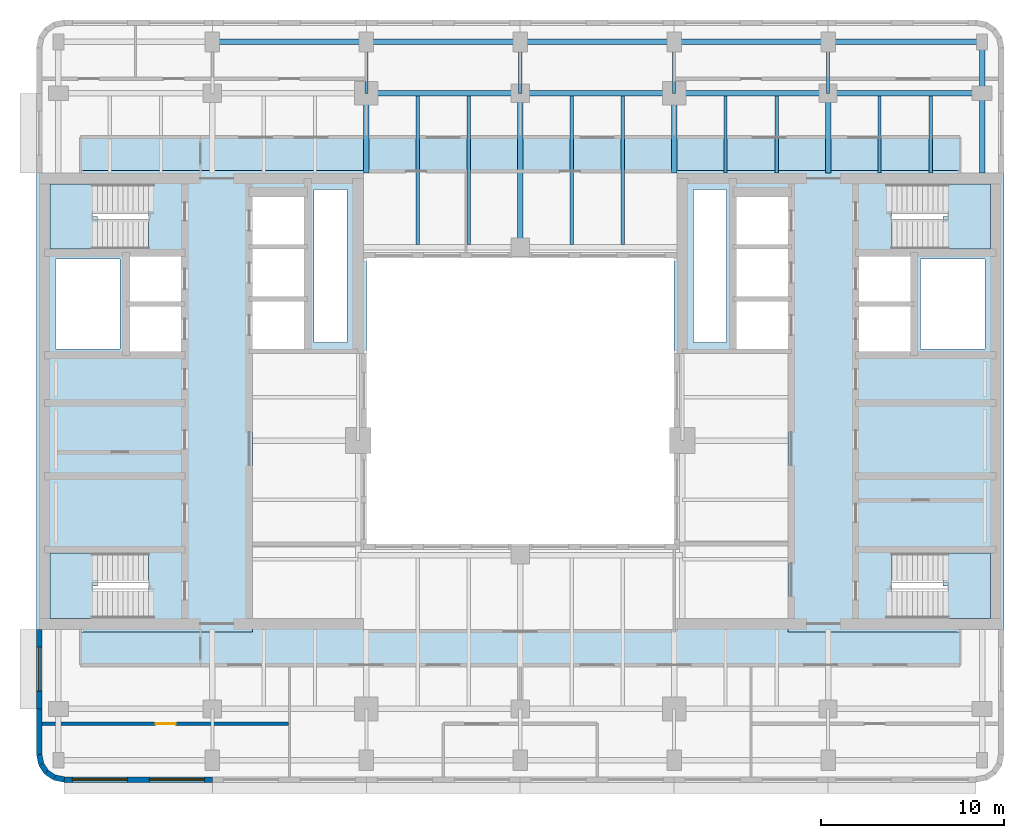
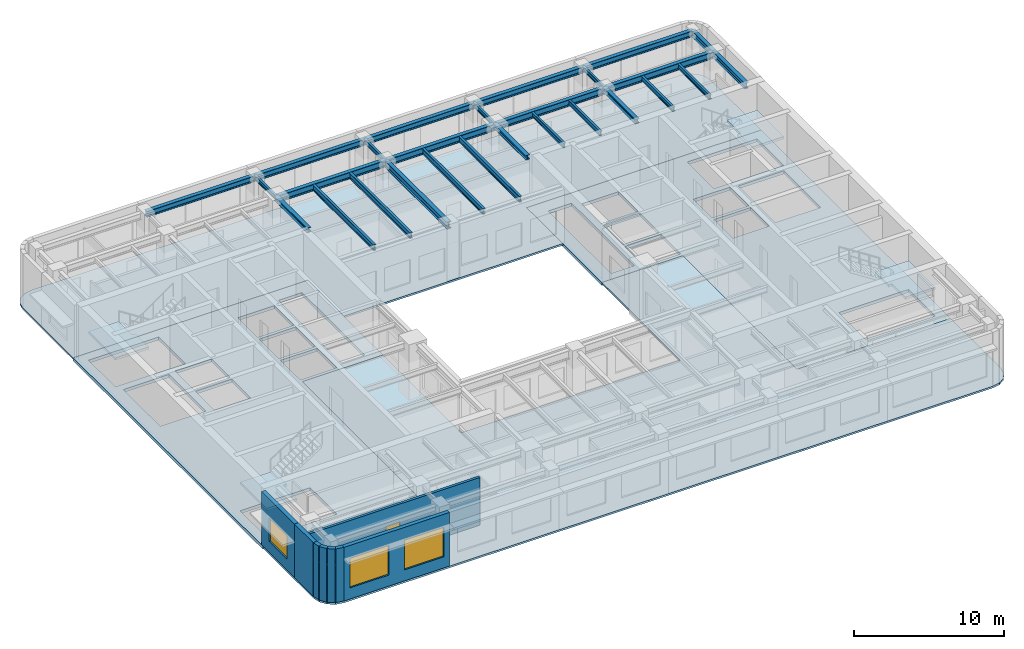
# One storey, part 2 of 11: 27 beams, 8 slabs, 8 walls, 3 windows, 1 door, 4 openings, 4 elements without a shape of their own.
"""IFC4 building model written with IfcOpenShell, lengths in metres."""

import ifcopenshell
import ifcopenshell.guid

model = None  # the IFC model being written
_history = None  # IfcOwnerHistory: only IFC2X3 demands one
_inside = {}  # id of a spatial element -> (the spatial element, [elements in it])
_under = {}  # id of a project, library or spatial element -> (it, [spatial elements below it])
_declared = {}  # id of a project -> (the project, [libraries it declares])
_typed = {}  # id of a type object -> (the type object, [elements of that type])
_made_of = {}  # id of a material, layer set ... -> (it, [elements and type objects made of it])


def new_model(schema):
    """Start an empty IFC model of exactly this schema.

    Asked for "IFC4X3", IfcOpenShell would pick the latest addendum, in which some entities
    have other attributes; the version numbers below select the first issue.
    IFC2X3 requires an IfcOwnerHistory on every rooted entity: one is made here for all.
    """
    global model, _history
    if schema == "IFC4X3":
        model = ifcopenshell.file(schema_version=(4, 3, 0, 0))
    else:
        model = ifcopenshell.file(schema=schema)
    _inside.clear()
    _under.clear()
    _declared.clear()
    _typed.clear()
    _made_of.clear()
    _history = None
    if model.schema == "IFC2X3":
        org = make("IfcOrganization", Name="unknown")
        user = make(
            "IfcPersonAndOrganization",
            ThePerson=make("IfcPerson", FamilyName="unknown"),
            TheOrganization=org,
        )
        app = make(
            "IfcApplication",
            ApplicationDeveloper=org,
            Version="unknown",
            ApplicationFullName="unknown",
            ApplicationIdentifier="unknown",
        )
        _history = make(
            "IfcOwnerHistory",
            OwningUser=user,
            OwningApplication=app,
            ChangeAction="ADDED",
            CreationDate=0,
        )
    return model


def make(cls, **values):
    """One entity of the class cls with the attributes given. An attribute that is None is left unset."""
    return model.create_entity(
        cls, **{name: value for name, value in values.items() if value is not None}
    )


def rooted(cls, **values):
    """An entity with a GlobalId (a new one), such as an element, a storey or a relation."""
    return make(cls, GlobalId=ifcopenshell.guid.new(), OwnerHistory=_history, **values)


def si_unit(unit_type, name, prefix=None):
    """IfcSIUnit, for example si_unit("LENGTHUNIT", "METRE", prefix="MILLI")."""
    return make("IfcSIUnit", UnitType=unit_type, Prefix=prefix, Name=name)


def assignment(units):
    """IfcUnitAssignment: the units of a project."""
    return None if units is None else make("IfcUnitAssignment", Units=units)


def point(xyz):
    """IfcCartesianPoint."""
    return None if xyz is None else make("IfcCartesianPoint", Coordinates=xyz)


def direction(xyz):
    """IfcDirection."""
    return None if xyz is None else make("IfcDirection", DirectionRatios=xyz)


def frame(location, z_axis=None, x_axis=None):
    """IfcAxis2Placement3D, a coordinate frame: its origin and axes. An axis left out is left unset."""
    return make(
        "IfcAxis2Placement3D",
        Location=point(location),
        Axis=direction(z_axis),
        RefDirection=direction(x_axis),
    )


def frame_2d(location, x_axis=None):
    """IfcAxis2Placement2D, a coordinate frame in the plane: its origin and x axis."""
    return make(
        "IfcAxis2Placement2D", Location=point(location), RefDirection=direction(x_axis)
    )


def origin():
    """The frame at (0, 0, 0) with its axes left unset."""
    return frame((0.0, 0.0, 0.0))


def origin_2d():
    """The frame at (0, 0) in the plane with its x axis left unset."""
    return frame_2d((0.0, 0.0))


def place(relative_to, where):
    """IfcLocalPlacement: puts the frame where relative to a parent placement (None: the world)."""
    return make(
        "IfcLocalPlacement", PlacementRelTo=relative_to, RelativePlacement=where
    )


def context(
    kind, dimensions, precision=None, world=None, true_north=None, identifier=None
):
    """IfcGeometricRepresentationContext, for example the 3D "Model" context."""
    return make(
        "IfcGeometricRepresentationContext",
        ContextIdentifier=identifier,
        ContextType=kind,
        CoordinateSpaceDimension=dimensions,
        Precision=precision,
        WorldCoordinateSystem=world,
        TrueNorth=true_north,
    )


def subcontext(parent, identifier, kind, view, scale=None):
    """IfcGeometricRepresentationSubContext, for example "Body" below "Model"."""
    return make(
        "IfcGeometricRepresentationSubContext",
        ContextIdentifier=identifier,
        ContextType=kind,
        ParentContext=parent,
        TargetScale=scale,
        TargetView=view,
    )


def project(units=None, contexts=None):
    """IfcProject with its units and contexts."""
    return rooted(
        "IfcProject",
        Name="project",
        RepresentationContexts=contexts,
        UnitsInContext=assignment(units),
    )


def spatial(cls, under=None, at=None, **own):
    """A site, building, storey or space (cls), placed at a placement, below another one or the project."""
    s = rooted(cls, ObjectPlacement=at, **own)
    if under is not None:
        _under.setdefault(under.id(), (under, []))[1].append(s)
    return s


def polyline(points):
    """IfcPolyline through the points."""
    return make("IfcPolyline", Points=[point(p) for p in points])


def profile(cls, at=None, kind="AREA", **sizes):
    """A parametric profile (cls). Its sizes go by their IFC names, for example OverallWidth=200.0."""
    return make(cls, ProfileType=kind, Position=at, **sizes)


def rectangle(**sizes):
    """IfcRectangleProfileDef."""
    return profile("IfcRectangleProfileDef", **sizes)


def i_section(**sizes):
    """IfcIShapeProfileDef."""
    return profile("IfcIShapeProfileDef", **sizes)


def outline(outer, holes=None, kind="AREA"):
    """IfcArbitraryClosedProfileDef: a profile drawn as a closed curve; with holes, ...WithVoids."""
    if holes is None:
        return make("IfcArbitraryClosedProfileDef", ProfileType=kind, OuterCurve=outer)
    return make(
        "IfcArbitraryProfileDefWithVoids",
        ProfileType=kind,
        OuterCurve=outer,
        InnerCurves=holes,
    )


def extrude(swept, where, along, depth):
    """IfcExtrudedAreaSolid: the profile swept, set in the frame where, extruded along a direction by depth."""
    return make(
        "IfcExtrudedAreaSolid",
        SweptArea=swept,
        Position=where,
        ExtrudedDirection=direction(along),
        Depth=depth,
    )


def shape(context_of_items, identifier, shape_type, items):
    """IfcShapeRepresentation: the items that make up one representation, for example the "Body"."""
    return make(
        "IfcShapeRepresentation",
        ContextOfItems=context_of_items,
        RepresentationIdentifier=identifier,
        RepresentationType=shape_type,
        Items=items,
    )


def material(Name=None, Category=None):
    """IfcMaterial."""
    return make("IfcMaterial", Name=Name, Category=Category)


def layer(
    of_material, thickness, ventilated=None, Name=None, Category=None, Priority=None
):
    """IfcMaterialLayer: one layer of a wall or slab, of a material (None: an air gap)."""
    return make(
        "IfcMaterialLayer",
        Material=of_material,
        LayerThickness=thickness,
        IsVentilated=ventilated,
        Name=Name,
        Category=Category,
        Priority=Priority,
    )


def layer_set(layers, Name=None):
    """IfcMaterialLayerSet."""
    return make("IfcMaterialLayerSet", MaterialLayers=layers, LayerSetName=Name)


def material_profile(
    of_material, cross_section, Name=None, Category=None, Priority=None
):
    """IfcMaterialProfile: a cross section and its material."""
    return make(
        "IfcMaterialProfile",
        Name=Name,
        Material=of_material,
        Profile=cross_section,
        Priority=Priority,
        Category=Category,
    )


def profile_set(profiles, Name=None, composite=None):
    """IfcMaterialProfileSet."""
    return make(
        "IfcMaterialProfileSet",
        Name=Name,
        MaterialProfiles=profiles,
        CompositeProfile=composite,
    )


def made_of(thing, what):
    """Note that an element or type object is made of a material, layer set ...; save() writes the relation."""
    if what is not None:
        _made_of.setdefault(what.id(), (what, []))[1].append(thing)
    return thing


def type_object(cls, material=None, **own):
    """A type object (cls), such as IfcWallType, which elements share."""
    return made_of(rooted(cls, **own), material)


def element(
    cls,
    number,
    at=None,
    inside=None,
    cuts=None,
    type_object=None,
    material=None,
    context=None,
    identifier="Body",
    shape_type=None,
    held_by="IfcProductDefinitionShape",
    body=None,
    shapes=None,
    **own,
):
    """One element of the class cls, such as IfcWall. Its Tag is "e" and its number.

    at: its placement. inside: the storey or other place that contains it. cuts: it is an
    opening in that element (IfcRelVoidsElement). A single representation is given by context,
    identifier, shape_type and body (its items); several are given by shapes. held_by: the class
    of the entity that holds the representations. save() writes the other relations.
    """
    e = rooted(cls, Tag="e%d" % number, ObjectPlacement=at, **own)
    if body is not None:
        shapes = [shape(context, identifier, shape_type, body)]
    if shapes is not None:
        e.Representation = make(held_by, Representations=shapes)
    if inside is not None:
        _inside.setdefault(inside.id(), (inside, []))[1].append(e)
    if cuts is not None:
        rooted(
            "IfcRelVoidsElement", RelatingBuildingElement=cuts, RelatedOpeningElement=e
        )
    if type_object is not None:
        _typed.setdefault(type_object.id(), (type_object, []))[1].append(e)
    return made_of(e, material)


def fill(opening, filler):
    """IfcRelFillsElement: the door or window that sits in an opening."""
    return rooted(
        "IfcRelFillsElement",
        RelatingOpeningElement=opening,
        RelatedBuildingElement=filler,
    )


def aggregate(whole, parts):
    """IfcRelAggregates: a whole, such as a stair, and the parts it consists of."""
    return rooted("IfcRelAggregates", RelatingObject=whole, RelatedObjects=parts)


def save(model, path):
    """Write the relations noted so far, then the file.

    IfcRelAggregates (storeys below a building ...), IfcRelContainedInSpatialStructure (elements
    in a storey), IfcRelDefinesByType, IfcRelAssociatesMaterial and IfcRelDeclares: one each for
    every whole, place, type object, material and project.
    """
    for whole, parts in _under.values():
        aggregate(whole, parts)
    for where, things in _inside.values():
        rooted(
            "IfcRelContainedInSpatialStructure",
            RelatedElements=things,
            RelatingStructure=where,
        )
    for kind, things in _typed.values():
        rooted("IfcRelDefinesByType", RelatedObjects=things, RelatingType=kind)
    for what, things in _made_of.values():
        rooted("IfcRelAssociatesMaterial", RelatedObjects=things, RelatingMaterial=what)
    for by, libraries in _declared.values():
        rooted("IfcRelDeclares", RelatingContext=by, RelatedDefinitions=libraries)
    model.write(path)


model = new_model("IFC4")

# Units and contexts
model_context = context("Model", 3, precision=1e-05, world=origin(), true_north=direction((0.0, 1.0)))
body_context = subcontext(model_context, "Body", "Model", "MODEL_VIEW")
ifc_project = project(units=[si_unit("LENGTHUNIT", "METRE"), si_unit("AREAUNIT", "SQUARE_METRE"), si_unit("VOLUMEUNIT", "CUBIC_METRE"), si_unit("PLANEANGLEUNIT", "RADIAN"), si_unit("MASSUNIT", "GRAM", prefix="KILO")], contexts=[model_context])

# Site, building, storey
site_placement = place(None, origin())
site = spatial("IfcSite", under=ifc_project, at=site_placement, CompositionType="ELEMENT")
building_placement = place(site_placement, origin())
building = spatial("IfcBuilding", under=site, at=building_placement, Name="Claustro Exchange Tower", CompositionType="ELEMENT")
storey_placement = place(building_placement, frame((0.0, 0.0, 268.199951171875)))
storey = spatial("IfcBuildingStorey", under=building, at=storey_placement, Name="L61", CompositionType="ELEMENT", Elevation=268.199951171875)

# Beams
ifc_material_1 = material(Name="Steel S355", Category="steel")
ifc_material_profile_1 = material_profile(ifc_material_1, i_section(OverallWidth=0.169921875, OverallDepth=0.360107421875, WebThickness=0.008056640625, FlangeThickness=0.0126953125, FilletRadius=0.01806640625, at=origin_2d()), Name="IPE 360")
ifc_profile_set_1 = profile_set([ifc_material_profile_1], Name="Steel S355")
beam_type_1 = type_object("IfcBeamType", Name="B16 IPE 360 short-span beam", PredefinedType="BEAM", material=ifc_profile_set_1)
for number, where, z_axis, x_axis, name in (
    (1, (16.800048828125, 42.0, 4.170166015625), (0.0, 1.0, 0.0), (-1.0, 0.0, 0.0), "Beam B16 L62"),
    (2, (25.199951171875, 42.0, 4.170166015625), (0.0, 1.0, 0.0), (-1.0, 0.0, 0.0), "Beam B16 L62"),
    (3, (33.60009765625, 42.0, 4.170166015625), (0.0, 1.0, 0.0), (-1.0, 0.0, 0.0), "Beam B16 L62"),
    (4, (42.0, 42.0, 4.170166015625), (0.0, 1.0, 0.0), (-1.0, 0.0, 0.0), "Beam B16 L62"),
):
    element("IfcBeam", number, at=place(storey_placement, frame(where, z_axis=z_axis, x_axis=x_axis)), inside=storey, type_object=beam_type_1, Name=name, PredefinedType="BEAM", context=body_context, shape_type="SweptSolid", body=[
        extrude(i_section(OverallWidth=0.169921875, OverallDepth=0.360107421875, WebThickness=0.008056640625, FlangeThickness=0.0126953125, FilletRadius=0.01806640625, at=origin_2d()), origin(), (0.0, 0.0, 1.0), 2.800048828125),
    ])
for number, where, z_axis, x_axis, name in (
    (5, (36.39990234375, 37.64990234375, 4.170166015625), (0.0, 1.0, 0.0), (-1.0, 0.0, 0.0), "Beam B16 L62"),
    (6, (39.199951171875, 37.64990234375, 4.170166015625), (0.0, 1.0, 0.0), (-1.0, 0.0, 0.0), "Beam B16 L62"),
    (7, (44.800048828125, 37.64990234375, 4.170166015625), (0.0, 1.0, 0.0), (-1.0, 0.0, 0.0), "Beam B16 L62"),
    (8, (47.60009765625, 37.64990234375, 4.170166015625), (0.0, 1.0, 0.0), (-1.0, 0.0, 0.0), "Beam B16 L62"),
):
    element("IfcBeam", number, at=place(storey_placement, frame(where, z_axis=z_axis, x_axis=x_axis)), inside=storey, type_object=beam_type_1, Name=name, PredefinedType="BEAM", context=body_context, shape_type="SweptSolid", body=[
        extrude(i_section(OverallWidth=0.169921875, OverallDepth=0.360107421875, WebThickness=0.008056640625, FlangeThickness=0.0126953125, FilletRadius=0.01806640625, at=origin_2d()), origin(), (0.0, 0.0, 1.0), 4.2001953125),
    ])
ifc_material_2 = material(Name="Steel S355", Category="steel")
ifc_material_profile_2 = material_profile(ifc_material_2, i_section(OverallWidth=0.300048828125, OverallDepth=0.550048828125, WebThickness=0.014892578125, FlangeThickness=0.029052734375, FilletRadius=0.027099609375, at=origin_2d()), Name="HE 550 B")
ifc_profile_set_2 = profile_set([ifc_material_profile_2], Name="Steel S355")
beam_type_2 = type_object("IfcBeamType", Name="B17 HE 550 B floor girder", PredefinedType="BEAM", material=ifc_profile_set_2)
for number, where, z_axis, x_axis, name in (
    (9, (25.199951171875, 33.60009765625, 4.074951171875), (0.0, 1.0, 0.0), (-1.0, 0.0, 0.0), "Beam B17 L62"),
    (10, (16.800048828125, 42.0, 4.074951171875), (1.0, 0.0, 0.0), (0.0, 1.0, 0.0), "Beam B17 L62"),
):
    element("IfcBeam", number, at=place(storey_placement, frame(where, z_axis=z_axis, x_axis=x_axis)), inside=storey, type_object=beam_type_2, Name=name, PredefinedType="BEAM", context=body_context, shape_type="SweptSolid", body=[
        extrude(i_section(OverallWidth=0.300048828125, OverallDepth=0.550048828125, WebThickness=0.014892578125, FlangeThickness=0.029052734375, FilletRadius=0.027099609375, at=origin_2d()), origin(), (0.0, 0.0, 1.0), 8.39990234375),
    ])
beam_1_placement = place(storey_placement, frame((25.199951171875, 42.0, 4.074951171875), z_axis=(1.0, 0.0, 0.0), x_axis=(0.0, 1.0, 0.0)))
element("IfcBeam", 11, at=beam_1_placement, inside=storey, type_object=beam_type_2, Name="Beam B17 L62", PredefinedType="BEAM", context=body_context, shape_type="SweptSolid", body=[
    extrude(i_section(OverallWidth=0.300048828125, OverallDepth=0.550048828125, WebThickness=0.014892578125, FlangeThickness=0.029052734375, FilletRadius=0.027099609375, at=origin_2d()), origin(), (0.0, 0.0, 1.0), 8.400146484375),
])
for number, where, z_axis, x_axis, name in (
    (12, (33.60009765625, 42.0, 4.074951171875), (1.0, 0.0, 0.0), (0.0, 1.0, 0.0), "Beam B17 L62"),
    (13, (42.0, 42.0, 4.074951171875), (1.0, 0.0, 0.0), (0.0, 1.0, 0.0), "Beam B17 L62"),
):
    element("IfcBeam", number, at=place(storey_placement, frame(where, z_axis=z_axis, x_axis=x_axis)), inside=storey, type_object=beam_type_2, Name=name, PredefinedType="BEAM", context=body_context, shape_type="SweptSolid", body=[
        extrude(i_section(OverallWidth=0.300048828125, OverallDepth=0.550048828125, WebThickness=0.014892578125, FlangeThickness=0.029052734375, FilletRadius=0.027099609375, at=origin_2d()), origin(), (0.0, 0.0, 1.0), 8.39990234375),
    ])
ifc_material_3 = material(Name="Steel S355", Category="steel")
ifc_material_profile_3 = material_profile(ifc_material_3, i_section(OverallWidth=0.300048828125, OverallDepth=0.360107421875, WebThickness=0.012451171875, FlangeThickness=0.0224609375, FilletRadius=0.027099609375, at=origin_2d()), Name="HE 360 B")
ifc_profile_set_3 = profile_set([ifc_material_profile_3], Name="Steel S355")
beam_type_3 = type_object("IfcBeamType", Name="B29 HE 360 B column to core link beam", PredefinedType="BEAM", material=ifc_profile_set_3)
for number, where, z_axis, x_axis, name in (
    (14, (16.800048828125, 37.64990234375, 4.170166015625), (0.0, 1.0, 0.0), (-1.0, 0.0, 0.0), "Beam B29 L62"),
    (15, (33.60009765625, 37.64990234375, 4.170166015625), (0.0, 1.0, 0.0), (-1.0, 0.0, 0.0), "Beam B29 L62"),
    (16, (42.0, 37.64990234375, 4.170166015625), (0.0, 1.0, 0.0), (-1.0, 0.0, 0.0), "Beam B29 L62"),
):
    element("IfcBeam", number, at=place(storey_placement, frame(where, z_axis=z_axis, x_axis=x_axis)), inside=storey, type_object=beam_type_3, Name=name, PredefinedType="BEAM", context=body_context, shape_type="SweptSolid", body=[
        extrude(i_section(OverallWidth=0.300048828125, OverallDepth=0.360107421875, WebThickness=0.012451171875, FlangeThickness=0.0224609375, FilletRadius=0.027099609375, at=origin_2d()), origin(), (0.0, 0.0, 1.0), 4.35009765625),
    ])
ifc_material_4 = material(Name="Steel S355", Category="steel")
ifc_material_profile_4 = material_profile(ifc_material_4, i_section(OverallWidth=0.18994140625, OverallDepth=0.449951171875, WebThickness=0.009521484375, FlangeThickness=0.0146484375, FilletRadius=0.02099609375, at=origin_2d()), Name="IPE 450")
ifc_profile_set_4 = profile_set([ifc_material_profile_4], Name="Steel S355")
beam_type_4 = type_object("IfcBeamType", Name="B8 IPE 450 secondary beam", PredefinedType="BEAM", material=ifc_profile_set_4)
for number, where, z_axis, x_axis, name in (
    (17, (19.60009765625, 33.75, 4.125), (0.0, 1.0, 0.0), (-1.0, 0.0, 0.0), "Beam B8 L62"),
    (18, (22.39990234375, 33.75, 4.125), (0.0, 1.0, 0.0), (-1.0, 0.0, 0.0), "Beam B8 L62"),
    (19, (28.0, 33.75, 4.125), (0.0, 1.0, 0.0), (-1.0, 0.0, 0.0), "Beam B8 L62"),
    (20, (30.800048828125, 33.75, 4.125), (0.0, 1.0, 0.0), (-1.0, 0.0, 0.0), "Beam B8 L62"),
):
    element("IfcBeam", number, at=place(storey_placement, frame(where, z_axis=z_axis, x_axis=x_axis)), inside=storey, type_object=beam_type_4, Name=name, PredefinedType="BEAM", context=body_context, shape_type="SweptSolid", body=[
        extrude(i_section(OverallWidth=0.18994140625, OverallDepth=0.449951171875, WebThickness=0.009521484375, FlangeThickness=0.0146484375, FilletRadius=0.02099609375, at=origin_2d()), origin(), (0.0, 0.0, 1.0), 8.10009765625),
    ])
ifc_material_5 = material(Name="Steel S355", Category="steel")
ifc_material_profile_5 = material_profile(ifc_material_5, i_section(OverallWidth=0.300048828125, OverallDepth=0.489990234375, WebThickness=0.011962890625, FlangeThickness=0.02294921875, FilletRadius=0.027099609375, at=origin_2d()), Name="HE 500 A")
ifc_profile_set_5 = profile_set([ifc_material_profile_5], Name="Steel S355")
beam_type_5 = type_object("IfcBeamType", Name="B9 HE 500 A spandrel edge girder", PredefinedType="SPANDREL", material=ifc_profile_set_5)
beam_2_placement = place(storey_placement, frame((50.39990234375, 37.64990234375, 4.10498046875), z_axis=(0.0, 1.0, 0.0), x_axis=(-1.0, 0.0, 0.0)))
element("IfcBeam", 21, at=beam_2_placement, inside=storey, type_object=beam_type_5, Name="Beam B9 L62", PredefinedType="SPANDREL", context=body_context, shape_type="SweptSolid", body=[
    extrude(i_section(OverallWidth=0.300048828125, OverallDepth=0.489990234375, WebThickness=0.011962890625, FlangeThickness=0.02294921875, FilletRadius=0.027099609375, at=origin_2d()), origin(), (0.0, 0.0, 1.0), 4.35009765625),
])
beam_3_placement = place(storey_placement, frame((50.39990234375, 42.0, 4.10498046875), z_axis=(0.0, 1.0, 0.0), x_axis=(-1.0, 0.0, 0.0)))
element("IfcBeam", 22, at=beam_3_placement, inside=storey, type_object=beam_type_5, Name="Beam B9 L62", PredefinedType="SPANDREL", context=body_context, shape_type="SweptSolid", body=[
    extrude(i_section(OverallWidth=0.300048828125, OverallDepth=0.489990234375, WebThickness=0.011962890625, FlangeThickness=0.02294921875, FilletRadius=0.027099609375, at=origin_2d()), origin(), (0.0, 0.0, 1.0), 2.800048828125),
])
beam_4_placement = place(storey_placement, frame((8.39990234375, 44.800048828125, 4.10498046875), z_axis=(1.0, 0.0, 0.0), x_axis=(0.0, 1.0, 0.0)))
element("IfcBeam", 23, at=beam_4_placement, inside=storey, type_object=beam_type_5, Name="Beam B9 L62", PredefinedType="SPANDREL", context=body_context, shape_type="SweptSolid", body=[
    extrude(i_section(OverallWidth=0.300048828125, OverallDepth=0.489990234375, WebThickness=0.011962890625, FlangeThickness=0.02294921875, FilletRadius=0.027099609375, at=origin_2d()), origin(), (0.0, 0.0, 1.0), 8.400146484375),
])
beam_5_placement = place(storey_placement, frame((16.800048828125, 44.800048828125, 4.10498046875), z_axis=(1.0, 0.0, 0.0), x_axis=(0.0, 1.0, 0.0)))
element("IfcBeam", 24, at=beam_5_placement, inside=storey, type_object=beam_type_5, Name="Beam B9 L62", PredefinedType="SPANDREL", context=body_context, shape_type="SweptSolid", body=[
    extrude(i_section(OverallWidth=0.300048828125, OverallDepth=0.489990234375, WebThickness=0.011962890625, FlangeThickness=0.02294921875, FilletRadius=0.027099609375, at=origin_2d()), origin(), (0.0, 0.0, 1.0), 8.39990234375),
])
beam_6_placement = place(storey_placement, frame((25.199951171875, 44.800048828125, 4.10498046875), z_axis=(1.0, 0.0, 0.0), x_axis=(0.0, 1.0, 0.0)))
element("IfcBeam", 25, at=beam_6_placement, inside=storey, type_object=beam_type_5, Name="Beam B9 L62", PredefinedType="SPANDREL", context=body_context, shape_type="SweptSolid", body=[
    extrude(i_section(OverallWidth=0.300048828125, OverallDepth=0.489990234375, WebThickness=0.011962890625, FlangeThickness=0.02294921875, FilletRadius=0.027099609375, at=origin_2d()), origin(), (0.0, 0.0, 1.0), 8.400146484375),
])
for number, where, z_axis, x_axis, name in (
    (26, (33.60009765625, 44.800048828125, 4.10498046875), (1.0, 0.0, 0.0), (0.0, 1.0, 0.0), "Beam B9 L62"),
    (27, (42.0, 44.800048828125, 4.10498046875), (1.0, 0.0, 0.0), (0.0, 1.0, 0.0), "Beam B9 L62"),
):
    element("IfcBeam", number, at=place(storey_placement, frame(where, z_axis=z_axis, x_axis=x_axis)), inside=storey, type_object=beam_type_5, Name=name, PredefinedType="SPANDREL", context=body_context, shape_type="SweptSolid", body=[
        extrude(i_section(OverallWidth=0.300048828125, OverallDepth=0.489990234375, WebThickness=0.011962890625, FlangeThickness=0.02294921875, FilletRadius=0.027099609375, at=origin_2d()), origin(), (0.0, 0.0, 1.0), 8.39990234375),
    ])

# Slabs
ifc_material_6 = material(Name="Concrete HA-50 (C50/60)", Category="concrete")
ifc_layer_1 = layer(ifc_material_6, 0.14990234375)
ifc_layer_set_1 = layer_set([ifc_layer_1], Name="Concrete HA-50 (C50/60)")
slab_type_1 = type_object("IfcSlabType", Name="S2 150 composite floor slab", PredefinedType="FLOOR", material=ifc_layer_set_1)
slab_1_placement = place(storey_placement, frame((0.0, 0.0, -0.14990234375)))
element("IfcSlab", 28, at=slab_1_placement, inside=storey, type_object=slab_type_1, Name="Floor slab S2 S L61", PredefinedType="FLOOR", context=body_context, shape_type="SweptSolid", body=[
    extrude(outline(polyline([(-0.27392578125, 4.51416015625), (0.300048828125, 4.39990234375), (50.10009765625, 4.39990234375), (50.674072265625, 4.51416015625), (51.16064453125, 4.83935546875), (51.48583984375, 5.325927734375), (51.60009765625, 5.89990234375), (51.60009765625, 12.60009765625), (39.800048828125, 12.60009765625), (39.800048828125, 27.800048828125), (33.60009765625, 27.800048828125), (33.60009765625, 17.39990234375), (16.800048828125, 17.39990234375), (16.800048828125, 27.800048828125), (10.60009765625, 27.800048828125), (10.60009765625, 12.60009765625), (-1.199951171875, 12.60009765625), (-1.199951171875, 5.89990234375), (-1.085693359375, 5.325927734375), (-0.7607421875, 4.83935546875), (-0.27392578125, 4.51416015625)])), origin(), (0.0, 0.0, 1.0), 0.14990234375),
])
slab_2_placement = place(storey_placement, frame((0.0, 0.0, -0.14990234375)))
element("IfcSlab", 29, at=slab_2_placement, inside=storey, type_object=slab_type_1, Name="Floor slab S2 N L61", PredefinedType="FLOOR", context=body_context, shape_type="SweptSolid", body=[
    extrude(outline(polyline([(16.800048828125, 37.800048828125), (16.800048828125, 33.0), (33.60009765625, 33.0), (33.60009765625, 37.800048828125), (51.60009765625, 37.800048828125), (51.60009765625, 44.5), (51.48583984375, 45.073974609375), (51.16064453125, 45.560791015625), (50.674072265625, 45.8857421875), (50.10009765625, 46.0), (0.300048828125, 46.0), (-0.27392578125, 45.8857421875), (-0.7607421875, 45.560791015625), (-1.085693359375, 45.073974609375), (-1.199951171875, 44.5), (-1.199951171875, 37.800048828125), (16.800048828125, 37.800048828125)])), origin(), (0.0, 0.0, 1.0), 0.14990234375),
])
ifc_material_7 = material(Name="Concrete HA-50 (C50/60)", Category="concrete")
ifc_layer_2 = layer(ifc_material_7, 0.25)
ifc_layer_set_2 = layer_set([ifc_layer_2], Name="Concrete HA-50 (C50/60)")
slab_type_2 = type_object("IfcSlabType", Name="S7 250 core floor slab", PredefinedType="FLOOR", material=ifc_layer_set_2)
slab_3_placement = place(storey_placement, frame((0.0, 0.0, -0.25)))
element("IfcSlab", 30, at=slab_3_placement, inside=storey, type_object=slab_type_2, Name="Core floor slab S7 W core L61", PredefinedType="FLOOR", context=body_context, shape_type="SweptSolid", body=[
    extrude(outline(polyline([(-1.199951171875, 37.800048828125), (-1.199951171875, 12.60009765625), (10.60009765625, 12.60009765625), (10.60009765625, 27.800048828125), (16.800048828125, 27.800048828125), (16.800048828125, 37.800048828125), (-1.199951171875, 37.800048828125)]), holes=[polyline([(13.949951171875, 36.75), (15.75, 36.75), (15.75, 28.39990234375), (13.949951171875, 28.39990234375), (13.949951171875, 36.75)]), polyline([(10.60009765625, 30.64990234375), (13.39990234375, 30.64990234375), (13.39990234375, 28.050048828125), (10.60009765625, 28.050048828125), (10.60009765625, 30.64990234375)]), polyline([(10.60009765625, 33.5), (13.39990234375, 33.5), (13.39990234375, 30.89990234375), (10.60009765625, 30.89990234375), (10.60009765625, 33.5)]), polyline([(13.39990234375, 36.35009765625), (13.39990234375, 33.75), (10.60009765625, 33.75), (10.60009765625, 36.35009765625), (13.39990234375, 36.35009765625)]), polyline([(3.89990234375, 30.375), (6.699951171875, 30.375), (6.699951171875, 27.89990234375), (3.89990234375, 27.89990234375), (3.89990234375, 30.375)]), polyline([(3.89990234375, 33.10009765625), (6.699951171875, 33.10009765625), (6.699951171875, 30.625), (3.89990234375, 30.625), (3.89990234375, 33.10009765625)]), polyline([(-0.449951171875, 13.35009765625), (-0.449951171875, 15.125), (-0.449951171875, 16.89990234375), (4.9150390625, 16.89990234375), (4.9150390625, 15.125), (4.919921875, 15.125), (4.919921875, 13.35009765625), (-0.449951171875, 13.35009765625)]), polyline([(-0.449951171875, 37.050048828125), (4.919921875, 37.050048828125), (4.919921875, 35.27490234375), (4.9150390625, 35.27490234375), (4.9150390625, 33.5), (-0.449951171875, 33.5), (-0.449951171875, 35.27490234375), (-0.449951171875, 37.050048828125)]), polyline([(-0.14990234375, 32.949951171875), (3.35009765625, 32.949951171875), (3.35009765625, 28.050048828125), (-0.14990234375, 28.050048828125), (-0.14990234375, 32.949951171875)])]), origin(), (0.0, 0.0, 1.0), 0.25),
])
slab_4_placement = place(storey_placement, frame((0.0, 0.0, -0.25)))
element("IfcSlab", 31, at=slab_4_placement, inside=storey, type_object=slab_type_2, Name="Core floor slab S7 E core L61", PredefinedType="FLOOR", context=body_context, shape_type="SweptSolid", body=[
    extrude(outline(polyline([(51.60009765625, 37.800048828125), (33.60009765625, 37.800048828125), (33.60009765625, 27.800048828125), (39.800048828125, 27.800048828125), (39.800048828125, 12.60009765625), (51.60009765625, 12.60009765625), (51.60009765625, 37.800048828125)]), holes=[polyline([(45.47998046875, 15.125), (45.485107421875, 15.125), (45.485107421875, 16.89990234375), (50.85009765625, 16.89990234375), (50.85009765625, 15.125), (50.85009765625, 13.35009765625), (45.47998046875, 13.35009765625), (45.47998046875, 15.125)]), polyline([(45.47998046875, 35.27490234375), (45.47998046875, 37.050048828125), (50.85009765625, 37.050048828125), (50.85009765625, 35.27490234375), (50.85009765625, 33.5), (45.485107421875, 33.5), (45.485107421875, 35.27490234375), (45.47998046875, 35.27490234375)]), polyline([(47.050048828125, 32.949951171875), (50.550048828125, 32.949951171875), (50.550048828125, 28.050048828125), (47.050048828125, 28.050048828125), (47.050048828125, 32.949951171875)]), polyline([(43.699951171875, 30.375), (46.5, 30.375), (46.5, 27.89990234375), (43.699951171875, 27.89990234375), (43.699951171875, 30.375)]), polyline([(43.699951171875, 33.10009765625), (46.5, 33.10009765625), (46.5, 30.625), (43.699951171875, 30.625), (43.699951171875, 33.10009765625)]), polyline([(37.0, 30.64990234375), (39.800048828125, 30.64990234375), (39.800048828125, 28.050048828125), (37.0, 28.050048828125), (37.0, 30.64990234375)]), polyline([(37.0, 33.5), (39.800048828125, 33.5), (39.800048828125, 30.89990234375), (37.0, 30.89990234375), (37.0, 33.5)]), polyline([(39.800048828125, 36.35009765625), (39.800048828125, 33.75), (37.0, 33.75), (37.0, 36.35009765625), (39.800048828125, 36.35009765625)]), polyline([(34.64990234375, 36.75), (36.449951171875, 36.75), (36.449951171875, 28.39990234375), (34.64990234375, 28.39990234375), (34.64990234375, 36.75)])]), origin(), (0.0, 0.0, 1.0), 0.25),
])

# Stair, slab
ifc_material_8 = material(Name="Concrete HA-30 (C30/37), precast", Category="concrete")
stair_type = type_object("IfcStairType", Name="ST2 half-turn stair, 25 risers of 180", PredefinedType="HALF_TURN_STAIR", material=ifc_material_8)
stair_1_placement = place(storey_placement, origin())
stair_1 = element("IfcStair", 32, at=stair_1_placement, inside=storey, type_object=stair_type, Name="Stair STWA L61", PredefinedType="HALF_TURN_STAIR")
ifc_material_9 = material(Name="Concrete HA-30 (C30/37), precast", Category="concrete")
ifc_layer_3 = layer(ifc_material_9, 0.199951171875)
ifc_layer_set_3 = layer_set([ifc_layer_3], Name="Concrete HA-30 (C30/37), precast")
slab_type_3 = type_object("IfcSlabType", Name="S9 200 stair landing", PredefinedType="LANDING", material=ifc_layer_set_3)
slab_5_placement = place(storey_placement, frame((0.0, 0.0, 2.14013671875)))
slab_5 = element("IfcSlab", 33, at=slab_5_placement, type_object=slab_type_3, Name="STWA landing 1", PredefinedType="LANDING", context=body_context, shape_type="SweptSolid", body=[
    extrude(outline(polyline([(1.844970703125, 13.35009765625), (-0.449951171875, 13.35009765625), (-0.449951171875, 16.89990234375), (1.840087890625, 16.89990234375), (1.844970703125, 16.89990234375), (2.1201171875, 16.89990234375), (2.1201171875, 15.125), (1.844970703125, 15.125), (1.844970703125, 13.35009765625)])), origin(), (0.0, 0.0, 1.0), 0.199951171875),
])
aggregate(stair_1, [slab_5])

stair_2_placement = place(storey_placement, origin())
stair_2 = element("IfcStair", 34, at=stair_2_placement, inside=storey, type_object=stair_type, Name="Stair STWB L61", PredefinedType="HALF_TURN_STAIR")
slab_6_placement = place(storey_placement, frame((0.0, 0.0, 2.14013671875)))
slab_6 = element("IfcSlab", 35, at=slab_6_placement, type_object=slab_type_3, Name="STWB landing 1", PredefinedType="LANDING", context=body_context, shape_type="SweptSolid", body=[
    extrude(outline(polyline([(2.1201171875, 35.27490234375), (2.1201171875, 33.5), (1.844970703125, 33.5), (1.840087890625, 33.5), (-0.449951171875, 33.5), (-0.449951171875, 37.050048828125), (1.844970703125, 37.050048828125), (1.844970703125, 35.27490234375), (2.1201171875, 35.27490234375)])), origin(), (0.0, 0.0, 1.0), 0.199951171875),
])
aggregate(stair_2, [slab_6])

stair_3_placement = place(storey_placement, origin())
stair_3 = element("IfcStair", 36, at=stair_3_placement, inside=storey, type_object=stair_type, Name="Stair STEA L61", PredefinedType="HALF_TURN_STAIR")
slab_7_placement = place(storey_placement, frame((0.0, 0.0, 2.14013671875)))
slab_7 = element("IfcSlab", 37, at=slab_7_placement, type_object=slab_type_3, Name="STEA landing 1", PredefinedType="LANDING", context=body_context, shape_type="SweptSolid", body=[
    extrude(outline(polyline([(50.85009765625, 16.89990234375), (50.85009765625, 13.35009765625), (48.554931640625, 13.35009765625), (48.554931640625, 15.125), (48.280029296875, 15.125), (48.280029296875, 16.89990234375), (48.554931640625, 16.89990234375), (48.56005859375, 16.89990234375), (50.85009765625, 16.89990234375)])), origin(), (0.0, 0.0, 1.0), 0.199951171875),
])
aggregate(stair_3, [slab_7])

stair_4_placement = place(storey_placement, origin())
stair_4 = element("IfcStair", 38, at=stair_4_placement, inside=storey, type_object=stair_type, Name="Stair STEB L61", PredefinedType="HALF_TURN_STAIR")
slab_8_placement = place(storey_placement, frame((0.0, 0.0, 2.14013671875)))
slab_8 = element("IfcSlab", 39, at=slab_8_placement, type_object=slab_type_3, Name="STEB landing 1", PredefinedType="LANDING", context=body_context, shape_type="SweptSolid", body=[
    extrude(outline(polyline([(48.280029296875, 33.5), (48.280029296875, 35.27490234375), (48.554931640625, 35.27490234375), (48.554931640625, 37.050048828125), (50.85009765625, 37.050048828125), (50.85009765625, 33.5), (48.56005859375, 33.5), (48.554931640625, 33.5), (48.280029296875, 33.5)])), origin(), (0.0, 0.0, 1.0), 0.199951171875),
])
aggregate(stair_4, [slab_8])

# Wall, opening, door
ifc_material_10 = material(Name="Twin-skin gypsum board on steel studs, mineral wool", Category="steel")
ifc_layer_4 = layer(ifc_material_10, 0.199951171875)
ifc_layer_set_4 = layer_set([ifc_layer_4], Name="Twin-skin gypsum board on steel studs, mineral wool")
wall_type_1 = type_object("IfcWallType", Name="P3 200 acoustic partition", PredefinedType="PARTITIONING", material=ifc_layer_set_4)
wall_1_placement = place(storey_placement, frame((-0.902099609375, 7.60009765625, 0.0), z_axis=(0.0, 0.0, 1.0), x_axis=(1.0, 0.0, 0.0)))
wall_1 = element("IfcWall", 40, at=wall_1_placement, inside=storey, type_object=wall_type_1, Name="Partition P3 L61", PredefinedType="PARTITIONING", context=body_context, shape_type="SweptSolid", body=[
    extrude(rectangle(XDim=13.444091796875, YDim=0.199951171875, at=frame_2d((6.72216796875, 0.0))), origin(), (0.0, 0.0, 1.0), 3.860107421875),
])
opening_1_placement = place(wall_1_placement, frame((6.201904296875, 0.0, 0.0)))
opening_1 = element("IfcOpeningElement", 41, at=opening_1_placement, cuts=wall_1, Name="Opening D8", PredefinedType="OPENING", context=body_context, shape_type="SweptSolid", body=[
    extrude(rectangle(XDim=1.10009765625, YDim=2.39990234375, at=frame_2d((0.550048828125, 1.199951171875))), frame((0.0, 0.10986328125, 0.0), z_axis=(0.0, -1.0, 0.0), x_axis=(1.0, 0.0, 0.0)), (0.0, 0.0, 1.0), 0.219970703125),
])
ifc_material_11 = material(Name="Timber door, walnut veneer", Category="wood")
door_type = type_object("IfcDoorType", Name="D8 1100 x 2400 executive door", OperationType="SINGLE_SWING_LEFT", PredefinedType="DOOR", material=ifc_material_11)
door_placement = place(opening_1_placement, frame((1.10009765625, 0.0, 0.0), z_axis=(0.0, 0.0, 1.0), x_axis=(-1.0, 0.0, 0.0)))
door = element("IfcDoor", 42, at=door_placement, inside=storey, type_object=door_type, Name="Door D8 L61", OperationType="SINGLE_SWING_LEFT", OverallHeight=2.39990234375, OverallWidth=1.10009765625, PredefinedType="DOOR", context=body_context, shape_type="SweptSolid", body=[
    extrude(rectangle(XDim=1.10009765625, YDim=2.39990234375, at=frame_2d((0.550048828125, 1.199951171875))), frame((0.0, 0.02490234375, 0.0), z_axis=(0.0, -1.0, 0.0), x_axis=(1.0, 0.0, 0.0)), (0.0, 0.0, 1.0), 0.050048828125),
])
fill(opening_1, door)

# Wall, openings, windows
ifc_material_12 = material(Name="Concrete HA-40 (C40/50), precast, white cement, acid-etched", Category="concrete")
ifc_layer_5 = layer(ifc_material_12, 0.300048828125)
ifc_layer_set_5 = layer_set([ifc_layer_5], Name="Concrete HA-40 (C40/50), precast, white cement, acid-etched")
wall_type_2 = type_object("IfcWallType", Name="PC1 300 precast concrete pier panel", PredefinedType="SOLIDWALL", material=ifc_layer_set_5)
wall_2_placement = place(storey_placement, frame((8.39990234375, 4.550048828125, 0.0), z_axis=(0.0, 0.0, 1.0), x_axis=(-1.0, 0.0, 0.0)))
wall_2 = element("IfcWall", 43, at=wall_2_placement, inside=storey, type_object=wall_type_2, Name="Precast pier panel PC1 L61", PredefinedType="SOLIDWALL", context=body_context, shape_type="SweptSolid", body=[
    extrude(rectangle(XDim=8.085205078125, YDim=0.300048828125, at=frame_2d((4.04248046875, 0.0))), origin(), (0.0, 0.0, 1.0), 4.35009765625),
])
opening_2_placement = place(wall_2_placement, frame((0.442626953125, 0.0, 0.89990234375)))
opening_2 = element("IfcOpeningElement", 44, at=opening_2_placement, cuts=wall_2, Name="Opening W3", PredefinedType="OPENING", context=body_context, shape_type="SweptSolid", body=[
    extrude(rectangle(XDim=3.0, YDim=2.39990234375, at=frame_2d((1.5, 1.199951171875))), frame((0.0, 0.159912109375, 0.0), z_axis=(0.0, -1.0, 0.0), x_axis=(1.0, 0.0, 0.0)), (0.0, 0.0, 1.0), 0.320068359375),
])
opening_3_placement = place(wall_2_placement, frame((4.642578125, 0.0, 0.89990234375)))
opening_3 = element("IfcOpeningElement", 45, at=opening_3_placement, cuts=wall_2, Name="Opening W3", PredefinedType="OPENING", context=body_context, shape_type="SweptSolid", body=[
    extrude(rectangle(XDim=3.0, YDim=2.39990234375, at=frame_2d((1.5, 1.199951171875))), frame((0.0, 0.159912109375, 0.0), z_axis=(0.0, -1.0, 0.0), x_axis=(1.0, 0.0, 0.0)), (0.0, 0.0, 1.0), 0.320068359375),
])
ifc_material_13 = material(Name="Aluminium frame, clear double glazing", Category="aluminium")
window_type_1 = type_object("IfcWindowType", Name="W3 3000 x 2400 window", PartitioningType="SINGLE_PANEL", PredefinedType="WINDOW", material=ifc_material_13)
window_1_placement = place(opening_2_placement, origin())
window_1 = element("IfcWindow", 46, at=window_1_placement, inside=storey, type_object=window_type_1, Name="Window W3 L61", OverallHeight=2.39990234375, OverallWidth=3.0, PartitioningType="SINGLE_PANEL", PredefinedType="WINDOW", context=body_context, shape_type="SweptSolid", body=[
    extrude(rectangle(XDim=3.0, YDim=2.39990234375, at=frame_2d((1.5, 1.199951171875))), frame((0.0, 0.030029296875, 0.0), z_axis=(0.0, -1.0, 0.0), x_axis=(1.0, 0.0, 0.0)), (0.0, 0.0, 1.0), 0.06005859375),
])
fill(opening_2, window_1)
window_2_placement = place(opening_3_placement, origin())
window_2 = element("IfcWindow", 47, at=window_2_placement, inside=storey, type_object=window_type_1, Name="Window W3 L61", OverallHeight=2.39990234375, OverallWidth=3.0, PartitioningType="SINGLE_PANEL", PredefinedType="WINDOW", context=body_context, shape_type="SweptSolid", body=[
    extrude(rectangle(XDim=3.0, YDim=2.39990234375, at=frame_2d((1.5, 1.199951171875))), frame((0.0, 0.030029296875, 0.0), z_axis=(0.0, -1.0, 0.0), x_axis=(1.0, 0.0, 0.0)), (0.0, 0.0, 1.0), 0.06005859375),
])
fill(opening_3, window_2)

# Walls
wall_3_placement = place(storey_placement, frame((0.314697265625, 4.550048828125, 0.0), z_axis=(0.0, 0.0, 1.0), x_axis=(-0.980788534345, 0.195073962632, 0.0)))
element("IfcWall", 48, at=wall_3_placement, inside=storey, type_object=wall_type_2, Name="Precast pier panel PC1 L61", PredefinedType="SOLIDWALL", context=body_context, shape_type="SweptSolid", body=[
    extrude(rectangle(XDim=0.540771484375, YDim=0.300048828125, at=frame_2d((0.2705078125, 0.0))), origin(), (0.0, 0.0, 1.0), 4.35009765625),
])
for number, where, z_axis, x_axis, name in (
    (49, (-0.215576171875, 4.655517578125, 0.0), (0.0, 0.0, 1.0), (-0.831478144188, 0.555557463938, 0.0), "Precast pier panel PC1 L61"),
    (50, (-0.652587890625, 4.947509765625, 0.0), (0.0, 0.0, 1.0), (-0.555557463938, 0.831478144188, 0.0), "Precast pier panel PC1 L61"),
):
    element("IfcWall", number, at=place(storey_placement, frame(where, z_axis=z_axis, x_axis=x_axis)), inside=storey, type_object=wall_type_2, Name=name, PredefinedType="SOLIDWALL", context=body_context, shape_type="SweptSolid", body=[
        extrude(rectangle(XDim=0.525634765625, YDim=0.300048828125, at=frame_2d((0.2626953125, 0.0))), origin(), (0.0, 0.0, 1.0), 4.35009765625),
    ])
wall_4_placement = place(storey_placement, frame((-0.944580078125, 5.384521484375, 0.0), z_axis=(0.0, 0.0, 1.0), x_axis=(-0.195073962632, 0.980788534345, 0.0)))
element("IfcWall", 51, at=wall_4_placement, inside=storey, type_object=wall_type_2, Name="Precast pier panel PC1 L61", PredefinedType="SOLIDWALL", context=body_context, shape_type="SweptSolid", body=[
    extrude(rectangle(XDim=0.540771484375, YDim=0.300048828125, at=frame_2d((0.2705078125, 0.0))), origin(), (0.0, 0.0, 1.0), 4.35009765625),
])
wall_5_placement = place(storey_placement, frame((-1.050048828125, 5.914794921875, 0.0), z_axis=(0.0, 0.0, 1.0), x_axis=(0.0, 1.0, 0.0)))
element("IfcWall", 52, at=wall_5_placement, inside=storey, type_object=wall_type_2, Name="Precast pier panel PC1 L61", PredefinedType="SOLIDWALL", context=body_context, shape_type="SweptSolid", body=[
    extrude(rectangle(XDim=2.485107421875, YDim=0.300048828125, at=frame_2d((1.24267578125, 0.0))), origin(), (0.0, 0.0, 1.0), 4.35009765625),
])

# Wall, opening, window
wall_6_placement = place(storey_placement, frame((-1.050048828125, 8.39990234375, 0.0), z_axis=(0.0, 0.0, 1.0), x_axis=(0.0, 1.0, 0.0)))
wall_6 = element("IfcWall", 53, at=wall_6_placement, inside=storey, type_object=wall_type_2, Name="Precast pier panel PC1 L61", PredefinedType="SOLIDWALL", context=body_context, shape_type="SweptSolid", body=[
    extrude(rectangle(XDim=4.35009765625, YDim=0.300048828125, at=frame_2d((2.175048828125, 0.0))), origin(), (0.0, 0.0, 1.0), 4.35009765625),
])
opening_4_placement = place(wall_6_placement, frame((0.97509765625, 0.0, 0.89990234375)))
opening_4 = element("IfcOpeningElement", 54, at=opening_4_placement, cuts=wall_6, Name="Opening W2", PredefinedType="OPENING", context=body_context, shape_type="SweptSolid", body=[
    extrude(rectangle(XDim=2.39990234375, YDim=1.89990234375, at=frame_2d((1.199951171875, 0.949951171875))), frame((0.0, 0.159912109375, 0.0), z_axis=(0.0, -1.0, 0.0), x_axis=(1.0, 0.0, 0.0)), (0.0, 0.0, 1.0), 0.320068359375),
])
ifc_material_14 = material(Name="Aluminium frame, clear double glazing", Category="aluminium")
window_type_2 = type_object("IfcWindowType", Name="W2 2400 x 1900 window", PartitioningType="SINGLE_PANEL", PredefinedType="WINDOW", material=ifc_material_14)
window_3_placement = place(opening_4_placement, origin())
window_3 = element("IfcWindow", 55, at=window_3_placement, inside=storey, type_object=window_type_2, Name="Window W2 L61", OverallHeight=1.89990234375, OverallWidth=2.39990234375, PartitioningType="SINGLE_PANEL", PredefinedType="WINDOW", context=body_context, shape_type="SweptSolid", body=[
    extrude(rectangle(XDim=2.39990234375, YDim=1.89990234375, at=frame_2d((1.199951171875, 0.949951171875))), frame((0.0, 0.030029296875, 0.0), z_axis=(0.0, -1.0, 0.0), x_axis=(1.0, 0.0, 0.0)), (0.0, 0.0, 1.0), 0.06005859375),
])
fill(opening_4, window_3)

save(model, "model.ifc")
